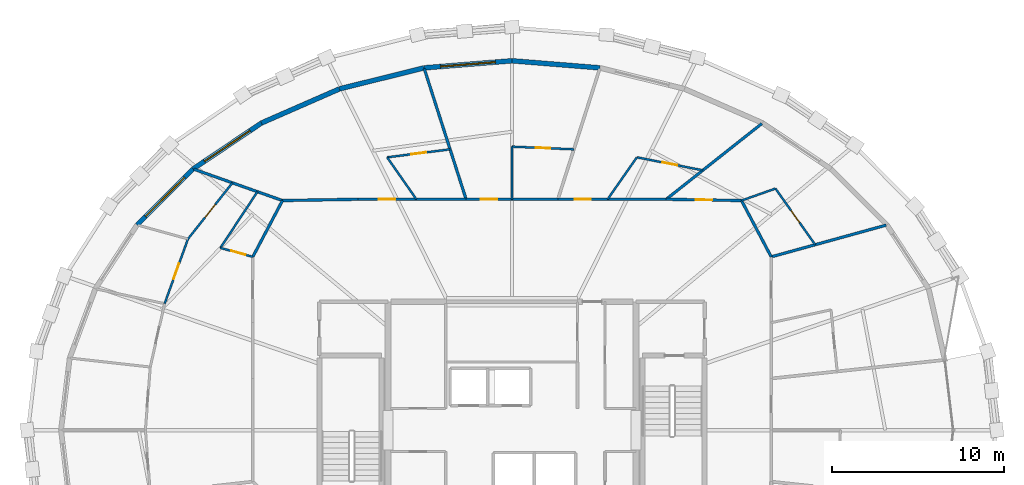
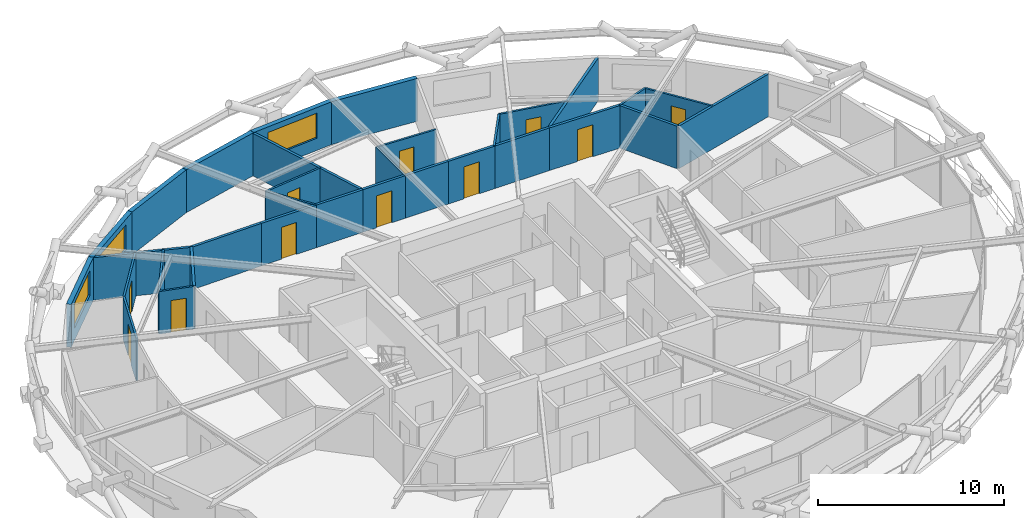
# One storey, part 17 of 19: 32 walls, 11 doors, 3 windows, 14 openings.
"""IFC4 building model written with IfcOpenShell, lengths in metres."""

from ifc_helpers import new_model, si_unit, direction, frame, frame_2d, origin, place, context, subcontext, project, spatial, rectangle, extrude, material, layer, layer_set, type_object, element, fill, save


model = new_model("IFC4")

# Units and contexts
model_context = context("Model", 3, precision=1e-05, world=origin(), true_north=direction((0.0, 1.0)))
body_context = subcontext(model_context, "Body", "Model", "MODEL_VIEW")
ifc_project = project(units=[si_unit("LENGTHUNIT", "METRE"), si_unit("AREAUNIT", "SQUARE_METRE"), si_unit("VOLUMEUNIT", "CUBIC_METRE"), si_unit("PLANEANGLEUNIT", "RADIAN"), si_unit("MASSUNIT", "GRAM", prefix="KILO")], contexts=[model_context])

# Site, building, storey
site_placement = place(None, origin())
site = spatial("IfcSite", under=ifc_project, at=site_placement, CompositionType="ELEMENT")
building_placement = place(site_placement, origin())
building = spatial("IfcBuilding", under=site, at=building_placement, Name="Veldorina Hangang Commons", CompositionType="ELEMENT")
storey_placement = place(building_placement, frame((0.0, 0.0, 164.0)))
storey = spatial("IfcBuildingStorey", under=building, at=storey_placement, Name="L42", CompositionType="ELEMENT", Elevation=164.0)

# Wall
ifc_material_1 = material(Name="Stone Roman Travertine", Category="masonry")
ifc_layer_1 = layer(ifc_material_1, 0.280029296875)
ifc_layer_set_1 = layer_set([ifc_layer_1], Name="Stone Roman Travertine")
wall_type_1 = type_object("IfcWallType", Name="EW-TRAV-280", PredefinedType="STANDARD", material=ifc_layer_set_1)
wall_1_placement = place(storey_placement, frame((37.10791015625, 45.027587890625, 0.0), z_axis=(0.0, 0.0, 1.0), x_axis=(-0.996764940038, 0.08037197466, 0.0)))
element("IfcWall", 1, at=wall_1_placement, inside=storey, type_object=wall_type_1, Name="L42 travertine facade wall 07", PredefinedType="STANDARD", context=body_context, shape_type="SweptSolid", body=[
    extrude(rectangle(XDim=5.12451171875, YDim=0.280029296875, at=frame_2d((2.562255859375, 0.0))), origin(), (0.0, 0.0, 1.0), 2.820068359375),
])

# Wall, opening, window
wall_2_placement = place(storey_placement, frame((32.0, 45.439453125, 0.0), z_axis=(0.0, 0.0, 1.0), x_axis=(-0.996764940038, -0.08037197466, 0.0)))
wall_2 = element("IfcWall", 2, at=wall_2_placement, inside=storey, type_object=wall_type_1, Name="L42 travertine facade wall 08", PredefinedType="STANDARD", context=body_context, shape_type="SweptSolid", body=[
    extrude(rectangle(XDim=5.12451171875, YDim=0.280029296875, at=frame_2d((2.562255859375, 0.0))), origin(), (0.0, 0.0, 1.0), 2.820068359375),
])
opening_1_placement = place(wall_2_placement, frame((0.962158203125, 0.0, 0.800048828125)))
opening_1 = element("IfcOpeningElement", 3, at=opening_1_placement, cuts=wall_2, Name="Opening W-01", PredefinedType="OPENING", context=body_context, shape_type="SweptSolid", body=[
    extrude(rectangle(XDim=3.199951171875, YDim=1.64990234375, at=frame_2d((1.60009765625, 0.824951171875))), frame((0.0, 0.14990234375, 0.0), z_axis=(0.0, -1.0, 0.0), x_axis=(1.0, 0.0, 0.0)), (0.0, 0.0, 1.0), 0.300048828125),
])
ifc_material_2 = material(Name="Glass Low-E Triple IGU", Category="glass")
window_type = type_object("IfcWindowType", Name="WIN-TWR-3200", PartitioningType="SINGLE_PANEL", PredefinedType="WINDOW", material=ifc_material_2)
window_1_placement = place(opening_1_placement, origin())
window_1 = element("IfcWindow", 4, at=window_1_placement, inside=storey, type_object=window_type, Name="L42 facade window 08", OverallHeight=1.64990234375, OverallWidth=3.199951171875, PartitioningType="SINGLE_PANEL", PredefinedType="WINDOW", context=body_context, shape_type="SweptSolid", body=[
    extrude(rectangle(XDim=3.199951171875, YDim=1.64990234375, at=frame_2d((1.60009765625, 0.824951171875))), frame((0.0, 0.030029296875, 0.0), z_axis=(0.0, -1.0, 0.0), x_axis=(1.0, 0.0, 0.0)), (0.0, 0.0, 1.0), 0.06005859375),
])
fill(opening_1, window_1)

# Walls
wall_3_placement = place(storey_placement, frame((26.89208984375, 45.027587890625, 0.0), z_axis=(0.0, 0.0, 1.0), x_axis=(-0.970510278879, -0.241059740708, 0.0)))
element("IfcWall", 5, at=wall_3_placement, inside=storey, type_object=wall_type_1, Name="L42 travertine facade wall 09", PredefinedType="STANDARD", context=body_context, shape_type="SweptSolid", body=[
    extrude(rectangle(XDim=5.060791015625, YDim=0.280029296875, at=frame_2d((2.5302734375, 0.0))), origin(), (0.0, 0.0, 1.0), 2.820068359375),
])
wall_4_placement = place(storey_placement, frame((21.98046875, 43.8076171875, 0.0), z_axis=(0.0, 0.0, 1.0), x_axis=(-0.916097223494, -0.400956203476, 0.0)))
element("IfcWall", 6, at=wall_4_placement, inside=storey, type_object=wall_type_1, Name="L42 travertine facade wall 10", PredefinedType="STANDARD", context=body_context, shape_type="SweptSolid", body=[
    extrude(rectangle(XDim=4.941162109375, YDim=0.280029296875, at=frame_2d((2.470703125, 0.0))), origin(), (0.0, 0.0, 1.0), 2.820068359375),
])

# Wall, opening, window
wall_5_placement = place(storey_placement, frame((17.453857421875, 41.826416015625, 0.0), z_axis=(0.0, 0.0, 1.0), x_axis=(-0.829970169982, -0.55780777777, 0.0)))
wall_5 = element("IfcWall", 7, at=wall_5_placement, inside=storey, type_object=wall_type_1, Name="L42 travertine facade wall 11", PredefinedType="STANDARD", context=body_context, shape_type="SweptSolid", body=[
    extrude(rectangle(XDim=4.7802734375, YDim=0.280029296875, at=frame_2d((2.39013671875, 0.0))), origin(), (0.0, 0.0, 1.0), 2.820068359375),
])
opening_2_placement = place(wall_5_placement, frame((0.7900390625, 0.0, 0.800048828125)))
opening_2 = element("IfcOpeningElement", 8, at=opening_2_placement, cuts=wall_5, Name="Opening W-01", PredefinedType="OPENING", context=body_context, shape_type="SweptSolid", body=[
    extrude(rectangle(XDim=3.199951171875, YDim=1.64990234375, at=frame_2d((1.60009765625, 0.824951171875))), frame((0.0, 0.14990234375, 0.0), z_axis=(0.0, -1.0, 0.0), x_axis=(1.0, 0.0, 0.0)), (0.0, 0.0, 1.0), 0.300048828125),
])
window_2_placement = place(opening_2_placement, origin())
window_2 = element("IfcWindow", 9, at=window_2_placement, inside=storey, type_object=window_type, Name="L42 facade window 11", OverallHeight=1.64990234375, OverallWidth=3.199951171875, PartitioningType="SINGLE_PANEL", PredefinedType="WINDOW", context=body_context, shape_type="SweptSolid", body=[
    extrude(rectangle(XDim=3.199951171875, YDim=1.64990234375, at=frame_2d((1.60009765625, 0.824951171875))), frame((0.0, 0.030029296875, 0.0), z_axis=(0.0, -1.0, 0.0), x_axis=(1.0, 0.0, 0.0)), (0.0, 0.0, 1.0), 0.06005859375),
])
fill(opening_2, window_2)

wall_6_placement = place(storey_placement, frame((13.486328125, 39.159912109375, 0.0), z_axis=(0.0, 0.0, 1.0), x_axis=(-0.70790250433, -0.706310161589, 0.0)))
wall_6 = element("IfcWall", 10, at=wall_6_placement, inside=storey, type_object=wall_type_1, Name="L42 travertine facade wall 12", PredefinedType="STANDARD", context=body_context, shape_type="SweptSolid", body=[
    extrude(rectangle(XDim=4.599609375, YDim=0.280029296875, at=frame_2d((2.2998046875, 0.0))), origin(), (0.0, 0.0, 1.0), 2.820068359375),
])
opening_3_placement = place(wall_6_placement, frame((0.699951171875, 0.0, 0.800048828125)))
opening_3 = element("IfcOpeningElement", 11, at=opening_3_placement, cuts=wall_6, Name="Opening W-01", PredefinedType="OPENING", context=body_context, shape_type="SweptSolid", body=[
    extrude(rectangle(XDim=3.199951171875, YDim=1.64990234375, at=frame_2d((1.60009765625, 0.824951171875))), frame((0.0, 0.14990234375, 0.0), z_axis=(0.0, -1.0, 0.0), x_axis=(1.0, 0.0, 0.0)), (0.0, 0.0, 1.0), 0.300048828125),
])
window_3_placement = place(opening_3_placement, origin())
window_3 = element("IfcWindow", 12, at=window_3_placement, inside=storey, type_object=window_type, Name="L42 facade window 12", OverallHeight=1.64990234375, OverallWidth=3.199951171875, PartitioningType="SINGLE_PANEL", PredefinedType="WINDOW", context=body_context, shape_type="SweptSolid", body=[
    extrude(rectangle(XDim=3.199951171875, YDim=1.64990234375, at=frame_2d((1.60009765625, 0.824951171875))), frame((0.0, 0.030029296875, 0.0), z_axis=(0.0, -1.0, 0.0), x_axis=(1.0, 0.0, 0.0)), (0.0, 0.0, 1.0), 0.06005859375),
])
fill(opening_3, window_3)

# Wall
ifc_material_3 = material(Name="Gypsum Fire-Rated Twin Stud Wall", Category="gypsum")
ifc_layer_2 = layer(ifc_material_3, 0.159912109375)
ifc_layer_set_2 = layer_set([ifc_layer_2], Name="Gypsum Fire-Rated Twin Stud Wall")
wall_type_2 = type_object("IfcWallType", Name="WL-FIRE-160", PredefinedType="SOLIDWALL", material=ifc_layer_set_2)
wall_7_placement = place(storey_placement, frame((47.050048828125, 34.05615234375, 0.0), z_axis=(0.0, 0.0, 1.0), x_axis=(-0.466737093093, 0.884396113702, 0.0)))
element("IfcWall", 13, at=wall_7_placement, inside=storey, type_object=wall_type_2, Name="L42 U-corridor outer wall 03 047", PredefinedType="SOLIDWALL", context=body_context, shape_type="SweptSolid", body=[
    extrude(rectangle(XDim=3.696044921875, YDim=0.159912109375, at=frame_2d((1.84814453125, 0.0))), origin(), (0.0, 0.0, 1.0), 2.800048828125),
])

# Wall, opening, door
wall_8_placement = place(storey_placement, frame((45.324951171875, 37.324951171875, 0.0), z_axis=(0.0, 0.0, 1.0), x_axis=(-0.999853038912, 0.017143528788, 0.0)))
wall_8 = element("IfcWall", 14, at=wall_8_placement, inside=storey, type_object=wall_type_2, Name="L42 U-corridor outer wall 04 048", PredefinedType="SOLIDWALL", context=body_context, shape_type="SweptSolid", body=[
    extrude(rectangle(XDim=4.3720703125, YDim=0.159912109375, at=frame_2d((2.18603515625, 0.0))), origin(), (0.0, 0.0, 1.0), 2.800048828125),
])
opening_4_placement = place(wall_8_placement, frame((1.7109375, 0.0, 0.0)))
opening_4 = element("IfcOpeningElement", 15, at=opening_4_placement, cuts=wall_8, Name="Opening D-03", PredefinedType="OPENING", context=body_context, shape_type="SweptSolid", body=[
    extrude(rectangle(XDim=0.949951171875, YDim=2.10009765625, at=frame_2d((0.47509765625, 1.050048828125))), frame((0.0, 0.08984375, 0.0), z_axis=(0.0, -1.0, 0.0), x_axis=(1.0, 0.0, 0.0)), (0.0, 0.0, 1.0), 0.179931640625),
])
ifc_material_4 = material(Name="Timber Fire-Rated Entrance Core", Category="wood")
door_type_1 = type_object("IfcDoorType", Name="DR-UNIT-950", OperationType="SINGLE_SWING_RIGHT", PredefinedType="DOOR", material=ifc_material_4)
door_1_placement = place(opening_4_placement, origin())
door_1 = element("IfcDoor", 16, at=door_1_placement, inside=storey, type_object=door_type_1, Name="L42 Studio 5 entrance door 027", OperationType="SINGLE_SWING_LEFT", OverallHeight=2.10009765625, OverallWidth=0.949951171875, PredefinedType="DOOR", context=body_context, shape_type="SweptSolid", body=[
    extrude(rectangle(XDim=0.949951171875, YDim=2.10009765625, at=frame_2d((0.47509765625, 1.050048828125))), frame((0.0, 0.02490234375, 0.0), z_axis=(0.0, -1.0, 0.0), x_axis=(1.0, 0.0, 0.0)), (0.0, 0.0, 1.0), 0.050048828125),
])
fill(opening_4, door_1)

# Wall
wall_9_placement = place(storey_placement, frame((40.95361328125, 37.39990234375, 0.0), z_axis=(0.0, 0.0, 1.0), x_axis=(-1.0, 0.0, 0.0)))
element("IfcWall", 17, at=wall_9_placement, inside=storey, type_object=wall_type_2, Name="L42 U-corridor outer wall 05 049", PredefinedType="SOLIDWALL", context=body_context, shape_type="SweptSolid", body=[
    extrude(rectangle(XDim=3.403076171875, YDim=0.159912109375, at=frame_2d((1.70166015625, 0.0))), origin(), (0.0, 0.0, 1.0), 2.800048828125),
])

# Wall, opening, door
wall_10_placement = place(storey_placement, frame((37.550537109375, 37.39990234375, 0.0), z_axis=(0.0, 0.0, 1.0), x_axis=(-1.0, 0.0, 0.0)))
wall_10 = element("IfcWall", 18, at=wall_10_placement, inside=storey, type_object=wall_type_2, Name="L42 U-corridor outer wall 06 050", PredefinedType="SOLIDWALL", context=body_context, shape_type="SweptSolid", body=[
    extrude(rectangle(XDim=2.88525390625, YDim=0.159912109375, at=frame_2d((1.442626953125, 0.0))), origin(), (0.0, 0.0, 1.0), 2.800048828125),
])
opening_5_placement = place(wall_10_placement, frame((0.967529296875, 0.0, 0.0)))
opening_5 = element("IfcOpeningElement", 19, at=opening_5_placement, cuts=wall_10, Name="Opening D-03", PredefinedType="OPENING", context=body_context, shape_type="SweptSolid", body=[
    extrude(rectangle(XDim=0.949951171875, YDim=2.10009765625, at=frame_2d((0.47509765625, 1.050048828125))), frame((0.0, 0.08984375, 0.0), z_axis=(0.0, -1.0, 0.0), x_axis=(1.0, 0.0, 0.0)), (0.0, 0.0, 1.0), 0.179931640625),
])
door_2_placement = place(opening_5_placement, origin())
door_2 = element("IfcDoor", 20, at=door_2_placement, inside=storey, type_object=door_type_1, Name="L42 Studio 6 entrance door 029", OperationType="SINGLE_SWING_LEFT", OverallHeight=2.10009765625, OverallWidth=0.949951171875, PredefinedType="DOOR", context=body_context, shape_type="SweptSolid", body=[
    extrude(rectangle(XDim=0.949951171875, YDim=2.10009765625, at=frame_2d((0.47509765625, 1.050048828125))), frame((0.0, 0.02490234375, 0.0), z_axis=(0.0, -1.0, 0.0), x_axis=(1.0, 0.0, 0.0)), (0.0, 0.0, 1.0), 0.050048828125),
])
fill(opening_5, door_2)

# Wall
wall_11_placement = place(storey_placement, frame((34.665283203125, 37.39990234375, 0.0), z_axis=(0.0, 0.0, 1.0), x_axis=(-1.0, 0.0, 0.0)))
element("IfcWall", 21, at=wall_11_placement, inside=storey, type_object=wall_type_2, Name="L42 U-corridor outer wall 07 051", PredefinedType="SOLIDWALL", context=body_context, shape_type="SweptSolid", body=[
    extrude(rectangle(XDim=2.665283203125, YDim=0.159912109375, at=frame_2d((1.33251953125, 0.0))), origin(), (0.0, 0.0, 1.0), 2.800048828125),
])

# Wall, opening, door
wall_12_placement = place(storey_placement, frame((32.0, 37.39990234375, 0.0), z_axis=(0.0, 0.0, 1.0), x_axis=(-1.0, 0.0, 0.0)))
wall_12 = element("IfcWall", 22, at=wall_12_placement, inside=storey, type_object=wall_type_2, Name="L42 U-corridor outer wall 08 052", PredefinedType="SOLIDWALL", context=body_context, shape_type="SweptSolid", body=[
    extrude(rectangle(XDim=2.665283203125, YDim=0.159912109375, at=frame_2d((1.33251953125, 0.0))), origin(), (0.0, 0.0, 1.0), 2.800048828125),
])
opening_6_placement = place(wall_12_placement, frame((0.857666015625, 0.0, 0.0)))
opening_6 = element("IfcOpeningElement", 23, at=opening_6_placement, cuts=wall_12, Name="Opening D-03", PredefinedType="OPENING", context=body_context, shape_type="SweptSolid", body=[
    extrude(rectangle(XDim=0.949951171875, YDim=2.10009765625, at=frame_2d((0.47509765625, 1.050048828125))), frame((0.0, 0.08984375, 0.0), z_axis=(0.0, -1.0, 0.0), x_axis=(1.0, 0.0, 0.0)), (0.0, 0.0, 1.0), 0.179931640625),
])
door_3_placement = place(opening_6_placement, origin())
door_3 = element("IfcDoor", 24, at=door_3_placement, inside=storey, type_object=door_type_1, Name="L42 Studio 7 entrance door 031", OperationType="SINGLE_SWING_LEFT", OverallHeight=2.10009765625, OverallWidth=0.949951171875, PredefinedType="DOOR", context=body_context, shape_type="SweptSolid", body=[
    extrude(rectangle(XDim=0.949951171875, YDim=2.10009765625, at=frame_2d((0.47509765625, 1.050048828125))), frame((0.0, 0.02490234375, 0.0), z_axis=(0.0, -1.0, 0.0), x_axis=(1.0, 0.0, 0.0)), (0.0, 0.0, 1.0), 0.050048828125),
])
fill(opening_6, door_3)

# Wall
wall_13_placement = place(storey_placement, frame((29.334716796875, 37.39990234375, 0.0), z_axis=(0.0, 0.0, 1.0), x_axis=(-1.0, 0.0, 0.0)))
element("IfcWall", 25, at=wall_13_placement, inside=storey, type_object=wall_type_2, Name="L42 U-corridor outer wall 09 053", PredefinedType="SOLIDWALL", context=body_context, shape_type="SweptSolid", body=[
    extrude(rectangle(XDim=2.88525390625, YDim=0.159912109375, at=frame_2d((1.442626953125, 0.0))), origin(), (0.0, 0.0, 1.0), 2.800048828125),
])

# Wall, opening, door
wall_14_placement = place(storey_placement, frame((26.449462890625, 37.39990234375, 0.0), z_axis=(0.0, 0.0, 1.0), x_axis=(-1.0, 0.0, 0.0)))
wall_14 = element("IfcWall", 26, at=wall_14_placement, inside=storey, type_object=wall_type_2, Name="L42 U-corridor outer wall 10 054", PredefinedType="SOLIDWALL", context=body_context, shape_type="SweptSolid", body=[
    extrude(rectangle(XDim=3.403076171875, YDim=0.159912109375, at=frame_2d((1.70166015625, 0.0))), origin(), (0.0, 0.0, 1.0), 2.800048828125),
])
opening_7_placement = place(wall_14_placement, frame((1.2265625, 0.0, 0.0)))
opening_7 = element("IfcOpeningElement", 27, at=opening_7_placement, cuts=wall_14, Name="Opening D-03", PredefinedType="OPENING", context=body_context, shape_type="SweptSolid", body=[
    extrude(rectangle(XDim=0.949951171875, YDim=2.10009765625, at=frame_2d((0.47509765625, 1.050048828125))), frame((0.0, 0.08984375, 0.0), z_axis=(0.0, -1.0, 0.0), x_axis=(1.0, 0.0, 0.0)), (0.0, 0.0, 1.0), 0.179931640625),
])
door_4_placement = place(opening_7_placement, origin())
door_4 = element("IfcDoor", 28, at=door_4_placement, inside=storey, type_object=door_type_1, Name="L42 Studio 8 entrance door 033", OperationType="SINGLE_SWING_LEFT", OverallHeight=2.10009765625, OverallWidth=0.949951171875, PredefinedType="DOOR", context=body_context, shape_type="SweptSolid", body=[
    extrude(rectangle(XDim=0.949951171875, YDim=2.10009765625, at=frame_2d((0.47509765625, 1.050048828125))), frame((0.0, 0.02490234375, 0.0), z_axis=(0.0, -1.0, 0.0), x_axis=(1.0, 0.0, 0.0)), (0.0, 0.0, 1.0), 0.050048828125),
])
fill(opening_7, door_4)

# Walls
wall_15_placement = place(storey_placement, frame((23.04638671875, 37.39990234375, 0.0), z_axis=(0.0, 0.0, 1.0), x_axis=(-0.999853038912, -0.017143528788, 0.0)))
element("IfcWall", 29, at=wall_15_placement, inside=storey, type_object=wall_type_2, Name="L42 U-corridor outer wall 11 055", PredefinedType="SOLIDWALL", context=body_context, shape_type="SweptSolid", body=[
    extrude(rectangle(XDim=4.3720703125, YDim=0.159912109375, at=frame_2d((2.18603515625, 0.0))), origin(), (0.0, 0.0, 1.0), 2.800048828125),
])
wall_16_placement = place(storey_placement, frame((18.675048828125, 37.324951171875, 0.0), z_axis=(0.0, 0.0, 1.0), x_axis=(-0.466737093093, -0.884396113702, 0.0)))
element("IfcWall", 30, at=wall_16_placement, inside=storey, type_object=wall_type_2, Name="L42 U-corridor outer wall 12 056", PredefinedType="SOLIDWALL", context=body_context, shape_type="SweptSolid", body=[
    extrude(rectangle(XDim=3.696044921875, YDim=0.159912109375, at=frame_2d((1.84814453125, 0.0))), origin(), (0.0, 0.0, 1.0), 2.800048828125),
])
wall_17_placement = place(storey_placement, frame((47.050048828125, 34.05615234375, 0.0), z_axis=(0.0, 0.0, 1.0), x_axis=(0.963949260869, 0.266086118522, 0.0)))
element("IfcWall", 31, at=wall_17_placement, inside=storey, type_object=wall_type_2, Name="L42 Unit party wall 03 089", PredefinedType="SOLIDWALL", context=body_context, shape_type="SweptSolid", body=[
    extrude(rectangle(XDim=6.9208984375, YDim=0.159912109375, at=frame_2d((3.46044921875, 0.0))), origin(), (0.0, 0.0, 1.0), 2.800048828125),
])
wall_18_placement = place(storey_placement, frame((40.95361328125, 37.39990234375, 0.0), z_axis=(0.0, 0.0, 1.0), x_axis=(0.784100343869, 0.62063407153, 0.0)))
element("IfcWall", 32, at=wall_18_placement, inside=storey, type_object=wall_type_2, Name="L42 Unit party wall 05 092", PredefinedType="SOLIDWALL", context=body_context, shape_type="SweptSolid", body=[
    extrude(rectangle(XDim=7.082275390625, YDim=0.159912109375, at=frame_2d((3.541015625, 0.0))), origin(), (0.0, 0.0, 1.0), 2.800048828125),
])
wall_19_placement = place(storey_placement, frame((29.334716796875, 37.39990234375, 0.0), z_axis=(0.0, 0.0, 1.0), x_axis=(-0.304988298283, 0.952356098269, 0.0)))
element("IfcWall", 33, at=wall_19_placement, inside=storey, type_object=wall_type_2, Name="L42 Unit party wall 09 098", PredefinedType="SOLIDWALL", context=body_context, shape_type="SweptSolid", body=[
    extrude(rectangle(XDim=7.959228515625, YDim=0.159912109375, at=frame_2d((3.9794921875, 0.0))), origin(), (0.0, 0.0, 1.0), 2.800048828125),
])
wall_20_placement = place(storey_placement, frame((18.675048828125, 37.324951171875, 0.0), z_axis=(0.0, 0.0, 1.0), x_axis=(-0.942778570561, 0.333419505866, 0.0)))
element("IfcWall", 34, at=wall_20_placement, inside=storey, type_object=wall_type_2, Name="L42 Unit party wall 12 101", PredefinedType="SOLIDWALL", context=body_context, shape_type="SweptSolid", body=[
    extrude(rectangle(XDim=5.45361328125, YDim=0.159912109375, at=frame_2d((2.726806640625, 0.0))), origin(), (0.0, 0.0, 1.0), 2.800048828125),
])

# Wall, opening, door
ifc_material_5 = material(Name="Gypsum Acoustic Stud Partition", Category="gypsum")
ifc_layer_3 = layer(ifc_material_5, 0.1201171875)
ifc_layer_set_3 = layer_set([ifc_layer_3], Name="Gypsum Acoustic Stud Partition")
wall_type_3 = type_object("IfcWallType", Name="WL-PART-120", PredefinedType="PARTITIONING", material=ifc_layer_set_3)
wall_21_placement = place(storey_placement, frame((49.603515625, 34.760986328125, 0.0), z_axis=(0.0, 0.0, 1.0), x_axis=(-0.57749154671, 0.816396664299, 0.0)))
wall_21 = element("IfcWall", 35, at=wall_21_placement, inside=storey, type_object=wall_type_3, Name="L42 Studio 5 bath front wall 090", PredefinedType="PARTITIONING", context=body_context, shape_type="SweptSolid", body=[
    extrude(rectangle(XDim=3.99462890625, YDim=0.1201171875, at=frame_2d((1.997314453125, 0.0))), origin(), (0.0, 0.0, 1.0), 2.800048828125),
])
opening_8_placement = place(wall_21_placement, frame((1.5673828125, 0.0, 0.0)))
opening_8 = element("IfcOpeningElement", 36, at=opening_8_placement, cuts=wall_21, Name="Opening D-01", PredefinedType="OPENING", context=body_context, shape_type="SweptSolid", body=[
    extrude(rectangle(XDim=0.860107421875, YDim=2.10009765625, at=frame_2d((0.43017578125, 1.050048828125))), frame((0.0, 0.070068359375, 0.0), z_axis=(0.0, -1.0, 0.0), x_axis=(1.0, 0.0, 0.0)), (0.0, 0.0, 1.0), 0.14013671875),
])
ifc_material_6 = material(Name="Timber Moisture-Resistant Core", Category="wood")
door_type_2 = type_object("IfcDoorType", Name="DR-WET-860", OperationType="SINGLE_SWING_LEFT", PredefinedType="DOOR", material=ifc_material_6)
door_5_placement = place(opening_8_placement, origin())
door_5 = element("IfcDoor", 37, at=door_5_placement, inside=storey, type_object=door_type_2, Name="L42 Studio 5 bathroom door 026", OperationType="SINGLE_SWING_RIGHT", OverallHeight=2.10009765625, OverallWidth=0.860107421875, PredefinedType="DOOR", context=body_context, shape_type="SweptSolid", body=[
    extrude(rectangle(XDim=0.860107421875, YDim=2.10009765625, at=frame_2d((0.43017578125, 1.050048828125))), frame((0.0, 0.02490234375, 0.0), z_axis=(0.0, -1.0, 0.0), x_axis=(1.0, 0.0, 0.0)), (0.0, 0.0, 1.0), 0.050048828125),
])
fill(opening_8, door_5)

# Wall
wall_22_placement = place(storey_placement, frame((45.324951171875, 37.324951171875, 0.0), z_axis=(0.0, 0.0, 1.0), x_axis=(0.942783254147, 0.333406262239, 0.0)))
element("IfcWall", 38, at=wall_22_placement, inside=storey, type_object=wall_type_3, Name="L42 Studio 5 bath side wall 091", PredefinedType="PARTITIONING", context=body_context, shape_type="SweptSolid", body=[
    extrude(rectangle(XDim=2.09130859375, YDim=0.1201171875, at=frame_2d((1.045654296875, 0.0))), origin(), (0.0, 0.0, 1.0), 2.800048828125),
])

# Wall, opening, door
wall_23_placement = place(storey_placement, frame((43.07861328125, 39.08203125, 0.0), z_axis=(0.0, 0.0, 1.0), x_axis=(-0.981229591494, 0.192843171453, 0.0)))
wall_23 = element("IfcWall", 39, at=wall_23_placement, inside=storey, type_object=wall_type_3, Name="L42 Studio 6 bath front wall 093", PredefinedType="PARTITIONING", context=body_context, shape_type="SweptSolid", body=[
    extrude(rectangle(XDim=3.903076171875, YDim=0.1201171875, at=frame_2d((1.95166015625, 0.0))), origin(), (0.0, 0.0, 1.0), 2.800048828125),
])
opening_9_placement = place(wall_23_placement, frame((1.521728515625, 0.0, 0.0)))
opening_9 = element("IfcOpeningElement", 40, at=opening_9_placement, cuts=wall_23, Name="Opening D-01", PredefinedType="OPENING", context=body_context, shape_type="SweptSolid", body=[
    extrude(rectangle(XDim=0.860107421875, YDim=2.10009765625, at=frame_2d((0.43017578125, 1.050048828125))), frame((0.0, 0.070068359375, 0.0), z_axis=(0.0, -1.0, 0.0), x_axis=(1.0, 0.0, 0.0)), (0.0, 0.0, 1.0), 0.14013671875),
])
door_6_placement = place(opening_9_placement, origin())
door_6 = element("IfcDoor", 41, at=door_6_placement, inside=storey, type_object=door_type_2, Name="L42 Studio 6 bathroom door 028", OperationType="SINGLE_SWING_RIGHT", OverallHeight=2.10009765625, OverallWidth=0.860107421875, PredefinedType="DOOR", context=body_context, shape_type="SweptSolid", body=[
    extrude(rectangle(XDim=0.860107421875, YDim=2.10009765625, at=frame_2d((0.43017578125, 1.050048828125))), frame((0.0, 0.02490234375, 0.0), z_axis=(0.0, -1.0, 0.0), x_axis=(1.0, 0.0, 0.0)), (0.0, 0.0, 1.0), 0.050048828125),
])
fill(opening_9, door_6)

# Wall
wall_24_placement = place(storey_placement, frame((37.550537109375, 37.39990234375, 0.0), z_axis=(0.0, 0.0, 1.0), x_axis=(0.572076103596, 0.820200543583, 0.0)))
element("IfcWall", 42, at=wall_24_placement, inside=storey, type_object=wall_type_3, Name="L42 Studio 6 bath side wall 094", PredefinedType="PARTITIONING", context=body_context, shape_type="SweptSolid", body=[
    extrude(rectangle(XDim=2.968505859375, YDim=0.1201171875, at=frame_2d((1.484375, 0.0))), origin(), (0.0, 0.0, 1.0), 2.800048828125),
])

# Wall, opening, door
wall_25_placement = place(storey_placement, frame((35.593505859375, 40.298583984375, 0.0), z_axis=(0.0, 0.0, 1.0), x_axis=(-0.999053082266, 0.043507916688, 0.0)))
wall_25 = element("IfcWall", 43, at=wall_25_placement, inside=storey, type_object=wall_type_3, Name="L42 Studio 7 bath front wall 096", PredefinedType="PARTITIONING", context=body_context, shape_type="SweptSolid", body=[
    extrude(rectangle(XDim=3.596923828125, YDim=0.1201171875, at=frame_2d((1.79833984375, 0.0))), origin(), (0.0, 0.0, 1.0), 2.800048828125),
])
opening_10_placement = place(wall_25_placement, frame((1.368408203125, 0.0, 0.0)))
opening_10 = element("IfcOpeningElement", 44, at=opening_10_placement, cuts=wall_25, Name="Opening D-01", PredefinedType="OPENING", context=body_context, shape_type="SweptSolid", body=[
    extrude(rectangle(XDim=0.860107421875, YDim=2.10009765625, at=frame_2d((0.43017578125, 1.050048828125))), frame((0.0, 0.070068359375, 0.0), z_axis=(0.0, -1.0, 0.0), x_axis=(1.0, 0.0, 0.0)), (0.0, 0.0, 1.0), 0.14013671875),
])
door_7_placement = place(opening_10_placement, origin())
door_7 = element("IfcDoor", 45, at=door_7_placement, inside=storey, type_object=door_type_2, Name="L42 Studio 7 bathroom door 030", OperationType="SINGLE_SWING_RIGHT", OverallHeight=2.10009765625, OverallWidth=0.860107421875, PredefinedType="DOOR", context=body_context, shape_type="SweptSolid", body=[
    extrude(rectangle(XDim=0.860107421875, YDim=2.10009765625, at=frame_2d((0.43017578125, 1.050048828125))), frame((0.0, 0.02490234375, 0.0), z_axis=(0.0, -1.0, 0.0), x_axis=(1.0, 0.0, 0.0)), (0.0, 0.0, 1.0), 0.050048828125),
])
fill(opening_10, door_7)

# Wall
wall_26_placement = place(storey_placement, frame((32.0, 37.39990234375, 0.0), z_axis=(0.0, 0.0, 1.0), x_axis=(0.0, 1.0, 0.0)))
element("IfcWall", 46, at=wall_26_placement, inside=storey, type_object=wall_type_3, Name="L42 Studio 7 bath side wall 097", PredefinedType="PARTITIONING", context=body_context, shape_type="SweptSolid", body=[
    extrude(rectangle(XDim=3.05517578125, YDim=0.1201171875, at=frame_2d((1.527587890625, 0.0))), origin(), (0.0, 0.0, 1.0), 2.800048828125),
])

# Wall, opening, door
wall_27_placement = place(storey_placement, frame((28.406494140625, 40.298583984375, 0.0), z_axis=(0.0, 0.0, 1.0), x_axis=(-0.992043715201, -0.125893872487, 0.0)))
wall_27 = element("IfcWall", 47, at=wall_27_placement, inside=storey, type_object=wall_type_3, Name="L42 Studio 8 bath front wall 099", PredefinedType="PARTITIONING", context=body_context, shape_type="SweptSolid", body=[
    extrude(rectangle(XDim=3.6845703125, YDim=0.1201171875, at=frame_2d((1.84228515625, 0.0))), origin(), (0.0, 0.0, 1.0), 2.800048828125),
])
opening_11_placement = place(wall_27_placement, frame((1.412109375, 0.0, 0.0)))
opening_11 = element("IfcOpeningElement", 48, at=opening_11_placement, cuts=wall_27, Name="Opening D-01", PredefinedType="OPENING", context=body_context, shape_type="SweptSolid", body=[
    extrude(rectangle(XDim=0.860107421875, YDim=2.10009765625, at=frame_2d((0.43017578125, 1.050048828125))), frame((0.0, 0.070068359375, 0.0), z_axis=(0.0, -1.0, 0.0), x_axis=(1.0, 0.0, 0.0)), (0.0, 0.0, 1.0), 0.14013671875),
])
door_8_placement = place(opening_11_placement, origin())
door_8 = element("IfcDoor", 49, at=door_8_placement, inside=storey, type_object=door_type_2, Name="L42 Studio 8 bathroom door 032", OperationType="SINGLE_SWING_RIGHT", OverallHeight=2.10009765625, OverallWidth=0.860107421875, PredefinedType="DOOR", context=body_context, shape_type="SweptSolid", body=[
    extrude(rectangle(XDim=0.860107421875, YDim=2.10009765625, at=frame_2d((0.43017578125, 1.050048828125))), frame((0.0, 0.02490234375, 0.0), z_axis=(0.0, -1.0, 0.0), x_axis=(1.0, 0.0, 0.0)), (0.0, 0.0, 1.0), 0.050048828125),
])
fill(opening_11, door_8)

# Walls
wall_28_placement = place(storey_placement, frame((26.449462890625, 37.39990234375, 0.0), z_axis=(0.0, 0.0, 1.0), x_axis=(-0.572076103596, 0.820200543583, 0.0)))
element("IfcWall", 50, at=wall_28_placement, inside=storey, type_object=wall_type_3, Name="L42 Studio 8 bath side wall 100", PredefinedType="PARTITIONING", context=body_context, shape_type="SweptSolid", body=[
    extrude(rectangle(XDim=2.968505859375, YDim=0.1201171875, at=frame_2d((1.484375, 0.0))), origin(), (0.0, 0.0, 1.0), 2.800048828125),
])
wall_29_placement = place(storey_placement, frame((17.22216796875, 37.8388671875, 0.0), z_axis=(0.0, 0.0, 1.0), x_axis=(-0.550789143957, -0.834644426627, 0.0)))
element("IfcWall", 51, at=wall_29_placement, inside=storey, type_object=wall_type_3, Name="L42 Cluster 9 bath front wall 102", PredefinedType="PARTITIONING", context=body_context, shape_type="SweptSolid", body=[
    extrude(rectangle(XDim=3.909912109375, YDim=0.1201171875, at=frame_2d((1.955078125, 0.0))), origin(), (0.0, 0.0, 1.0), 2.800048828125),
])

# Wall, opening, door
wall_30_placement = place(storey_placement, frame((16.949951171875, 34.05615234375, 0.0), z_axis=(0.0, 0.0, 1.0), x_axis=(-0.963953905702, 0.266069291128, 0.0)))
wall_30 = element("IfcWall", 52, at=wall_30_placement, inside=storey, type_object=wall_type_3, Name="L42 Cluster 9 bath side wall 103", PredefinedType="PARTITIONING", context=body_context, shape_type="SweptSolid", body=[
    extrude(rectangle(XDim=1.95166015625, YDim=0.1201171875, at=frame_2d((0.975830078125, 0.0))), origin(), (0.0, 0.0, 1.0), 2.800048828125),
])
opening_12_placement = place(wall_30_placement, frame((0.43994140625, 0.0, 0.0)))
opening_12 = element("IfcOpeningElement", 53, at=opening_12_placement, cuts=wall_30, Name="Opening D-01", PredefinedType="OPENING", context=body_context, shape_type="SweptSolid", body=[
    extrude(rectangle(XDim=0.860107421875, YDim=2.10009765625, at=frame_2d((0.43017578125, 1.050048828125))), frame((0.0, 0.070068359375, 0.0), z_axis=(0.0, -1.0, 0.0), x_axis=(1.0, 0.0, 0.0)), (0.0, 0.0, 1.0), 0.14013671875),
])
door_9_placement = place(opening_12_placement, origin())
door_9 = element("IfcDoor", 54, at=door_9_placement, inside=storey, type_object=door_type_2, Name="L42 Cluster 9 shared bathroom door 034", OperationType="SINGLE_SWING_RIGHT", OverallHeight=2.10009765625, OverallWidth=0.860107421875, PredefinedType="DOOR", context=body_context, shape_type="SweptSolid", body=[
    extrude(rectangle(XDim=0.860107421875, YDim=2.10009765625, at=frame_2d((0.43017578125, 1.050048828125))), frame((0.0, 0.02490234375, 0.0), z_axis=(0.0, -1.0, 0.0), x_axis=(1.0, 0.0, 0.0)), (0.0, 0.0, 1.0), 0.050048828125),
])
fill(opening_12, door_9)

wall_31_placement = place(storey_placement, frame((15.769287109375, 38.3525390625, 0.0), z_axis=(0.0, 0.0, 1.0), x_axis=(-0.621200750132, -0.783651471023, 0.0)))
wall_31 = element("IfcWall", 55, at=wall_31_placement, inside=storey, type_object=wall_type_3, Name="L42 Cluster 9 bed 1 front wall 104", PredefinedType="PARTITIONING", context=body_context, shape_type="SweptSolid", body=[
    extrude(rectangle(XDim=4.156982421875, YDim=0.1201171875, at=frame_2d((2.07861328125, 0.0))), origin(), (0.0, 0.0, 1.0), 2.800048828125),
])
opening_13_placement = place(wall_31_placement, frame((1.603515625, 0.0, 0.0)))
opening_13 = element("IfcOpeningElement", 56, at=opening_13_placement, cuts=wall_31, Name="Opening D-02", PredefinedType="OPENING", context=body_context, shape_type="SweptSolid", body=[
    extrude(rectangle(XDim=0.949951171875, YDim=2.10009765625, at=frame_2d((0.47509765625, 1.050048828125))), frame((0.0, 0.070068359375, 0.0), z_axis=(0.0, -1.0, 0.0), x_axis=(1.0, 0.0, 0.0)), (0.0, 0.0, 1.0), 0.14013671875),
])
ifc_material_7 = material(Name="Timber Solid Core Acoustic", Category="wood")
door_type_3 = type_object("IfcDoorType", Name="DR-INT-950", OperationType="SINGLE_SWING_LEFT", PredefinedType="DOOR", material=ifc_material_7)
door_10_placement = place(opening_13_placement, origin())
door_10 = element("IfcDoor", 57, at=door_10_placement, inside=storey, type_object=door_type_3, Name="L42 Cluster 9 bed 1 door 036", OperationType="SINGLE_SWING_RIGHT", OverallHeight=2.10009765625, OverallWidth=0.949951171875, PredefinedType="DOOR", context=body_context, shape_type="SweptSolid", body=[
    extrude(rectangle(XDim=0.949951171875, YDim=2.10009765625, at=frame_2d((0.47509765625, 1.050048828125))), frame((0.0, 0.02490234375, 0.0), z_axis=(0.0, -1.0, 0.0), x_axis=(1.0, 0.0, 0.0)), (0.0, 0.0, 1.0), 0.050048828125),
])
fill(opening_13, door_10)

wall_32_placement = place(storey_placement, frame((13.18701171875, 35.094970703125, 0.0), z_axis=(0.0, 0.0, 1.0), x_axis=(-0.339219380109, -0.940707293561, 0.0)))
wall_32 = element("IfcWall", 58, at=wall_32_placement, inside=storey, type_object=wall_type_3, Name="L42 Cluster 9 bed 2 front wall 105", PredefinedType="PARTITIONING", context=body_context, shape_type="SweptSolid", body=[
    extrude(rectangle(XDim=3.994384765625, YDim=0.1201171875, at=frame_2d((1.9970703125, 0.0))), origin(), (0.0, 0.0, 1.0), 2.800048828125),
])
opening_14_placement = place(wall_32_placement, frame((1.522216796875, 0.0, 0.0)))
opening_14 = element("IfcOpeningElement", 59, at=opening_14_placement, cuts=wall_32, Name="Opening D-02", PredefinedType="OPENING", context=body_context, shape_type="SweptSolid", body=[
    extrude(rectangle(XDim=0.949951171875, YDim=2.10009765625, at=frame_2d((0.47509765625, 1.050048828125))), frame((0.0, 0.070068359375, 0.0), z_axis=(0.0, -1.0, 0.0), x_axis=(1.0, 0.0, 0.0)), (0.0, 0.0, 1.0), 0.14013671875),
])
door_11_placement = place(opening_14_placement, origin())
door_11 = element("IfcDoor", 60, at=door_11_placement, inside=storey, type_object=door_type_3, Name="L42 Cluster 9 bed 2 door 037", OperationType="SINGLE_SWING_LEFT", OverallHeight=2.10009765625, OverallWidth=0.949951171875, PredefinedType="DOOR", context=body_context, shape_type="SweptSolid", body=[
    extrude(rectangle(XDim=0.949951171875, YDim=2.10009765625, at=frame_2d((0.47509765625, 1.050048828125))), frame((0.0, 0.02490234375, 0.0), z_axis=(0.0, -1.0, 0.0), x_axis=(1.0, 0.0, 0.0)), (0.0, 0.0, 1.0), 0.050048828125),
])
fill(opening_14, door_11)

save(model, "model.ifc")
